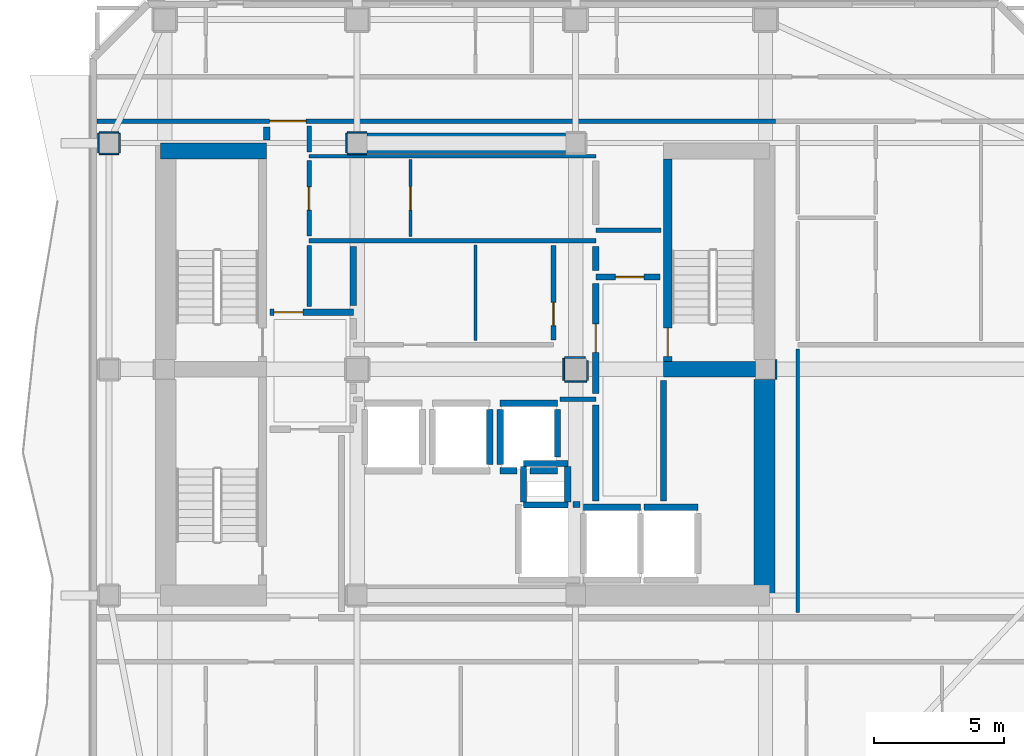
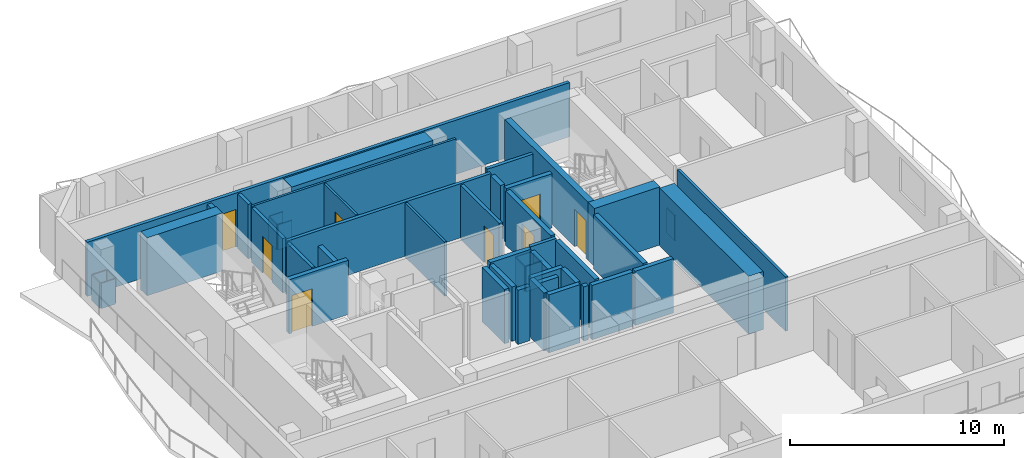
# One storey, part 4 of 9: 50 walls, 8 doors, 8 openings.
"""IFC4 building model written with IfcOpenShell, lengths in metres."""

from ifc_helpers import new_model, si_unit, direction, frame, frame_2d, origin, place, context, subcontext, project, spatial, rectangle, extrude, material, layer, layer_set, type_object, element, fill, save


model = new_model("IFC4")

# Units and contexts
model_context = context("Model", 3, precision=1e-05, world=origin(), true_north=direction((0.0, 1.0)))
body_context = subcontext(model_context, "Body", "Model", "MODEL_VIEW")
ifc_project = project(units=[si_unit("LENGTHUNIT", "METRE"), si_unit("AREAUNIT", "SQUARE_METRE"), si_unit("VOLUMEUNIT", "CUBIC_METRE"), si_unit("PLANEANGLEUNIT", "RADIAN"), si_unit("MASSUNIT", "GRAM", prefix="KILO")], contexts=[model_context])

# Site, building, storey
site_placement = place(None, origin())
site = spatial("IfcSite", under=ifc_project, at=site_placement, CompositionType="ELEMENT")
building_placement = place(site_placement, origin())
building = spatial("IfcBuilding", under=site, at=building_placement, Name="Solanera Arch Residences", CompositionType="ELEMENT")
storey_placement = place(building_placement, frame((0.0, 0.0, 216.719970703125)))
storey = spatial("IfcBuildingStorey", under=building, at=storey_placement, Name="L63", CompositionType="ELEMENT", Elevation=216.719970703125)

# Walls
ifc_material_1 = material(Name="Fire-Rated Gypsum Stud Partition", Category="gypsum")
ifc_layer_1 = layer(ifc_material_1, 0.06005859375)
ifc_layer_set_1 = layer_set([ifc_layer_1], Name="Fire-Rated Gypsum Stud Partition")
wall_type_1 = type_object("IfcWallType", Name="Column Acoustic Furring Wall 60", PredefinedType="PARTITIONING", material=ifc_layer_set_1)
for number, where, z_axis, x_axis, name in (
    (1, (20.425048828125, 38.992919921875, 0.0), (0.0, 0.0, 1.0), (1.0, 0.0, 0.0), "L63 Column Furring 3S"),
    (2, (20.425048828125, 39.806884765625, 0.0), (0.0, 0.0, 1.0), (1.0, 0.0, 0.0), "L63 Column Furring 3N"),
):
    element("IfcWall", number, at=place(storey_placement, frame(where, z_axis=z_axis, x_axis=x_axis)), inside=storey, type_object=wall_type_1, Name=name, PredefinedType="PARTITIONING", context=body_context, shape_type="SweptSolid", body=[
        extrude(rectangle(XDim=0.741943359375, YDim=0.06005859375, at=frame_2d((0.37109375, 0.0))), origin(), (0.0, 0.0, 1.0), 1.449951171875),
    ])
for number, where, z_axis, x_axis, name in (
    (3, (20.39306640625, 39.02490234375, 0.0), (0.0, 0.0, 1.0), (0.0, 1.0, 0.0), "L63 Column Furring 3W"),
    (4, (36.906982421875, 30.324951171875, 0.0), (0.0, 0.0, 1.0), (0.0, 1.0, 0.0), "L63 Column Furring 6E"),
):
    element("IfcWall", number, at=place(storey_placement, frame(where, z_axis=z_axis, x_axis=x_axis)), inside=storey, type_object=wall_type_1, Name=name, PredefinedType="PARTITIONING", context=body_context, shape_type="SweptSolid", body=[
        extrude(rectangle(XDim=0.75, YDim=0.06005859375, at=frame_2d((0.375, 0.0))), origin(), (0.0, 0.0, 1.0), 1.449951171875),
    ])
wall_1_placement = place(storey_placement, frame((28.77490234375, 30.242919921875, 0.0), z_axis=(0.0, 0.0, 1.0), x_axis=(1.0, 0.0, 0.0)))
element("IfcWall", 5, at=wall_1_placement, inside=storey, type_object=wall_type_1, Name="L63 Column Furring 8S", PredefinedType="PARTITIONING", context=body_context, shape_type="SweptSolid", body=[
    extrude(rectangle(XDim=0.85009765625, YDim=0.06005859375, at=frame_2d((0.425048828125, 0.0))), origin(), (0.0, 0.0, 1.0), 1.449951171875),
])
wall_2_placement = place(storey_placement, frame((28.77490234375, 31.156982421875, 0.0), z_axis=(0.0, 0.0, 1.0), x_axis=(1.0, 0.0, 0.0)))
element("IfcWall", 6, at=wall_2_placement, inside=storey, type_object=wall_type_1, Name="L63 Column Furring 8N", PredefinedType="PARTITIONING", context=body_context, shape_type="SweptSolid", body=[
    extrude(rectangle(XDim=0.794189453125, YDim=0.06005859375, at=frame_2d((0.39697265625, 0.0))), origin(), (0.0, 0.0, 1.0), 1.449951171875),
])
wall_3_placement = place(storey_placement, frame((28.742919921875, 30.27490234375, 0.0), z_axis=(0.0, 0.0, 1.0), x_axis=(0.0, 1.0, 0.0)))
element("IfcWall", 7, at=wall_3_placement, inside=storey, type_object=wall_type_1, Name="L63 Column Furring 8W", PredefinedType="PARTITIONING", context=body_context, shape_type="SweptSolid", body=[
    extrude(rectangle(XDim=0.85009765625, YDim=0.06005859375, at=frame_2d((0.425048828125, 0.0))), origin(), (0.0, 0.0, 1.0), 1.449951171875),
])
wall_4_placement = place(storey_placement, frame((29.656982421875, 30.27490234375, 0.0), z_axis=(0.0, 0.0, 1.0), x_axis=(0.0, 1.0, 0.0)))
element("IfcWall", 8, at=wall_4_placement, inside=storey, type_object=wall_type_1, Name="L63 Column Furring 8E", PredefinedType="PARTITIONING", context=body_context, shape_type="SweptSolid", body=[
    extrude(rectangle(XDim=0.757080078125, YDim=0.06005859375, at=frame_2d((0.37841796875, 0.0))), origin(), (0.0, 0.0, 1.0), 1.449951171875),
])
for number, where, z_axis, x_axis, name in (
    (9, (10.875, 38.992919921875, 0.0), (0.0, 0.0, 1.0), (1.0, 0.0, 0.0), "L63 Column Furring 21S"),
    (10, (10.875, 39.806884765625, 0.0), (0.0, 0.0, 1.0), (1.0, 0.0, 0.0), "L63 Column Furring 21N"),
    (11, (10.843017578125, 39.02490234375, 0.0), (0.0, 0.0, 1.0), (0.0, 1.0, 0.0), "L63 Column Furring 21W"),
    (12, (11.656982421875, 39.02490234375, 0.0), (0.0, 0.0, 1.0), (0.0, 1.0, 0.0), "L63 Column Furring 21E"),
):
    element("IfcWall", number, at=place(storey_placement, frame(where, z_axis=z_axis, x_axis=x_axis)), inside=storey, type_object=wall_type_1, Name=name, PredefinedType="PARTITIONING", context=body_context, shape_type="SweptSolid", body=[
        extrude(rectangle(XDim=0.75, YDim=0.06005859375, at=frame_2d((0.375, 0.0))), origin(), (0.0, 0.0, 1.0), 1.449951171875),
    ])

# Wall, opening, door
ifc_material_2 = material(Name="Concrete C40/50 (f'c = 45 MPa)", Category="concrete")
ifc_layer_2 = layer(ifc_material_2, 0.320068359375)
ifc_layer_set_2 = layer_set([ifc_layer_2], Name="Concrete C40/50 (f'c = 45 MPa)")
wall_type_2 = type_object("IfcWallType", Name="Core Shear Wall CW-320", PredefinedType="SHEAR", material=ifc_layer_set_2)
wall_5_placement = place(storey_placement, frame((32.739990234375, 31.0, 0.0), z_axis=(0.0, 0.0, 1.0), x_axis=(0.0, 1.0, 0.0)))
wall_5 = element("IfcWall", 13, at=wall_5_placement, inside=storey, type_object=wall_type_2, Name="L63 Stair ST-T2 West Shear Wall", PredefinedType="SHEAR", context=body_context, shape_type="SweptSolid", body=[
    extrude(rectangle(XDim=7.800048828125, YDim=0.320068359375, at=frame_2d((3.89990234375, 0.0))), origin(), (0.0, 0.0, 1.0), 3.320068359375),
])
opening_1_placement = place(wall_5_placement, frame((0.18994140625, 0.0, 0.0)))
opening_1 = element("IfcOpeningElement", 14, at=opening_1_placement, cuts=wall_5, Name="Opening DF-01", PredefinedType="OPENING", context=body_context, shape_type="SweptSolid", body=[
    extrude(rectangle(XDim=1.10009765625, YDim=2.14990234375, at=frame_2d((0.550048828125, 1.074951171875))), frame((0.0, 0.169921875, 0.0), z_axis=(0.0, -1.0, 0.0), x_axis=(1.0, 0.0, 0.0)), (0.0, 0.0, 1.0), 0.3401),
])
ifc_material_3 = material(Name="Fire-Rated Architectural Hardwood", Category="wood")
door_type_1 = type_object("IfcDoorType", Name="Stair Exit Fire Door DF-01", OperationType="NOTDEFINED", PredefinedType="DOOR", material=ifc_material_3)
door_1_placement = place(opening_1_placement, origin())
door_1 = element("IfcDoor", 15, at=door_1_placement, inside=storey, type_object=door_type_1, Name="DR-L63-STAIR-ST-T2", OperationType="SINGLE_SWING_LEFT", OverallHeight=2.14990234375, OverallWidth=1.10009765625, PredefinedType="DOOR", context=body_context, shape_type="SweptSolid", body=[
    extrude(rectangle(XDim=1.10009765625, YDim=2.14990234375, at=frame_2d((0.550048828125, 1.074951171875))), frame((0.0, 0.02490234375, 0.0), z_axis=(0.0, -1.0, 0.0), x_axis=(1.0, 0.0, 0.0)), (0.0, 0.0, 1.0), 0.050048828125),
])
fill(opening_1, door_1)

# Walls
ifc_material_4 = material(Name="Concrete C40/50 (f'c = 45 MPa)", Category="concrete")
ifc_layer_3 = layer(ifc_material_4, 0.60009765625)
ifc_layer_set_3 = layer_set([ifc_layer_3], Name="Concrete C40/50 (f'c = 45 MPa)")
wall_type_3 = type_object("IfcWallType", Name="Core Shear Wall CW-600", PredefinedType="SHEAR", material=ifc_layer_set_3)
wall_6_placement = place(storey_placement, frame((13.239990234375, 39.10009765625, 0.0), z_axis=(0.0, 0.0, 1.0), x_axis=(1.0, 0.0, 0.0)))
element("IfcWall", 16, at=wall_6_placement, inside=storey, type_object=wall_type_3, Name="L63 North-West Core Shear Wall", PredefinedType="SHEAR", context=body_context, shape_type="SweptSolid", body=[
    extrude(rectangle(XDim=4.080078125, YDim=0.60009765625, at=frame_2d((2.0400390625, 0.0))), origin(), (0.0, 0.0, 1.0), 3.320068359375),
])
wall_7_placement = place(storey_placement, frame((32.580078125, 30.699951171875, 0.0), z_axis=(0.0, 0.0, 1.0), x_axis=(1.0, 0.0, 0.0)))
element("IfcWall", 17, at=wall_7_placement, inside=storey, type_object=wall_type_3, Name="L63 East Stair Far-Landing Shear Wall", PredefinedType="SHEAR", context=body_context, shape_type="SweptSolid", body=[
    extrude(rectangle(XDim=3.5400390625, YDim=0.60009765625, at=frame_2d((1.77001953125, 0.0))), origin(), (0.0, 0.0, 1.0), 3.320068359375),
])
ifc_material_5 = material(Name="Concrete C40/50 (f'c = 45 MPa)", Category="concrete")
ifc_layer_4 = layer(ifc_material_5, 0.800048828125)
ifc_layer_set_4 = layer_set([ifc_layer_4], Name="Concrete C40/50 (f'c = 45 MPa)")
wall_type_4 = type_object("IfcWallType", Name="Core Shear Wall CW-800", PredefinedType="SHEAR", material=ifc_layer_set_4)
wall_8_placement = place(storey_placement, frame((36.4599609375, 22.0, 0.0), z_axis=(0.0, 0.0, 1.0), x_axis=(0.0, 1.0, 0.0)))
element("IfcWall", 18, at=wall_8_placement, inside=storey, type_object=wall_type_4, Name="L63 East Core South Shear Wall", PredefinedType="SHEAR", context=body_context, shape_type="SweptSolid", body=[
    extrude(rectangle(XDim=8.320068359375, YDim=0.800048828125, at=frame_2d((4.16015625, 0.0))), origin(), (0.0, 0.0, 1.0), 3.320068359375),
])
wall_9_placement = place(storey_placement, frame((21.179931640625, 39.39990234375, 0.0), z_axis=(0.0, 0.0, 1.0), x_axis=(1.0, 0.0, 0.0)))
element("IfcWall", 19, at=wall_9_placement, inside=storey, type_object=wall_type_4, Name="L63 Central North Core Shear Wall", PredefinedType="SHEAR", context=body_context, shape_type="SweptSolid", body=[
    extrude(rectangle(XDim=7.64013671875, YDim=0.800048828125, at=frame_2d((3.820068359375, 0.0))), origin(), (0.0, 0.0, 1.0), 3.320068359375),
])
ifc_material_6 = material(Name="Autoclaved Aerated Concrete Blockwork", Category="masonry")
ifc_layer_5 = layer(ifc_material_6, 0.179931640625)
ifc_layer_set_5 = layer_set([ifc_layer_5], Name="Autoclaved Aerated Concrete Blockwork")
wall_type_5 = type_object("IfcWallType", Name="Corridor Fire Partition 180", PredefinedType="PARTITIONING", material=ifc_layer_set_5)
wall_10_placement = place(storey_placement, frame((28.593017578125, 29.550048828125, 0.0), z_axis=(0.0, 0.0, 1.0), x_axis=(1.0, 0.0, 0.0)))
element("IfcWall", 20, at=wall_10_placement, inside=storey, type_object=wall_type_5, Name="L63 Interior Partition H7 2", PredefinedType="PARTITIONING", context=body_context, shape_type="SweptSolid", body=[
    extrude(rectangle(XDim=1.382080078125, YDim=0.179931640625, at=frame_2d((0.69091796875, 0.0))), origin(), (0.0, 0.0, 1.0), 3.10009765625),
])
wall_11_placement = place(storey_placement, frame((18.949951171875, 35.64990234375, 0.0), z_axis=(0.0, 0.0, 1.0), x_axis=(1.0, 0.0, 0.0)))
element("IfcWall", 21, at=wall_11_placement, inside=storey, type_object=wall_type_5, Name="L63 Interior Partition H10", PredefinedType="PARTITIONING", context=body_context, shape_type="SweptSolid", body=[
    extrude(rectangle(XDim=11.025146484375, YDim=0.179931640625, at=frame_2d((5.5126953125, 0.0))), origin(), (0.0, 0.0, 1.0), 3.10009765625),
])
wall_12_placement = place(storey_placement, frame((29.97509765625, 36.050048828125, 0.0), z_axis=(0.0, 0.0, 1.0), x_axis=(1.0, 0.0, 0.0)))
element("IfcWall", 22, at=wall_12_placement, inside=storey, type_object=wall_type_5, Name="L63 Interior Partition H11", PredefinedType="PARTITIONING", context=body_context, shape_type="SweptSolid", body=[
    extrude(rectangle(XDim=2.5048828125, YDim=0.179931640625, at=frame_2d((1.25244140625, 0.0))), origin(), (0.0, 0.0, 1.0), 3.10009765625),
])

# Wall, opening, door
wall_13_placement = place(storey_placement, frame((10.787109375, 40.25, 0.0), z_axis=(0.0, 0.0, 1.0), x_axis=(1.0, 0.0, 0.0)))
wall_13 = element("IfcWall", 23, at=wall_13_placement, inside=storey, type_object=wall_type_5, Name="L63 Interior Partition H12 1", PredefinedType="PARTITIONING", context=body_context, shape_type="SweptSolid", body=[
    extrude(rectangle(XDim=26.101806640625, YDim=0.179931640625, at=frame_2d((13.05078125, 0.0))), origin(), (0.0, 0.0, 1.0), 3.10009765625),
])
opening_2_placement = place(wall_13_placement, frame((6.64794921875, 0.0, 0.0)))
opening_2 = element("IfcOpeningElement", 24, at=opening_2_placement, cuts=wall_13, Name="Opening DF-03", PredefinedType="OPENING", context=body_context, shape_type="SweptSolid", body=[
    extrude(rectangle(XDim=1.39990234375, YDim=2.14990234375, at=frame_2d((0.699951171875, 1.074951171875))), frame((0.0, 0.10009765625, 0.0), z_axis=(0.0, -1.0, 0.0), x_axis=(1.0, 0.0, 0.0)), (0.0, 0.0, 1.0), 0.1999),
])
ifc_material_7 = material(Name="Fire-Rated Architectural Hardwood", Category="wood")
door_type_2 = type_object("IfcDoorType", Name="Corridor Smoke Door DF-03", OperationType="NOTDEFINED", PredefinedType="DOOR", material=ifc_material_7)
door_2_placement = place(opening_2_placement, origin())
door_2 = element("IfcDoor", 25, at=door_2_placement, inside=storey, type_object=door_type_2, Name="DR-L63-IN-009", OperationType="SINGLE_SWING_RIGHT", OverallHeight=2.14990234375, OverallWidth=1.39990234375, PredefinedType="DOOR", context=body_context, shape_type="SweptSolid", body=[
    extrude(rectangle(XDim=1.39990234375, YDim=2.14990234375, at=frame_2d((0.699951171875, 1.074951171875))), frame((0.0, 0.02490234375, 0.0), z_axis=(0.0, -1.0, 0.0), x_axis=(1.0, 0.0, 0.0)), (0.0, 0.0, 1.0), 0.050048828125),
])
fill(opening_2, door_2)

# Wall
wall_14_placement = place(storey_placement, frame((18.949951171875, 33.117919921875, 0.0), z_axis=(0.0, 0.0, 1.0), x_axis=(0.0, 1.0, 0.0)))
element("IfcWall", 26, at=wall_14_placement, inside=storey, type_object=wall_type_5, Name="L63 Interior Partition V8 1", PredefinedType="PARTITIONING", context=body_context, shape_type="SweptSolid", body=[
    extrude(rectangle(XDim=2.343994140625, YDim=0.179931640625, at=frame_2d((1.171875, 0.0))), origin(), (0.0, 0.0, 1.0), 3.10009765625),
])

# Wall, opening, door
wall_15_placement = place(storey_placement, frame((18.949951171875, 35.837890625, 0.0), z_axis=(0.0, 0.0, 1.0), x_axis=(0.0, 1.0, 0.0)))
wall_15 = element("IfcWall", 27, at=wall_15_placement, inside=storey, type_object=wall_type_5, Name="L63 Interior Partition V8 2", PredefinedType="PARTITIONING", context=body_context, shape_type="SweptSolid", body=[
    extrude(rectangle(XDim=2.904052734375, YDim=0.179931640625, at=frame_2d((1.4521484375, 0.0))), origin(), (0.0, 0.0, 1.0), 3.10009765625),
])
opening_3_placement = place(wall_15_placement, frame((0.987060546875, 0.0, 0.0)))
opening_3 = element("IfcOpeningElement", 28, at=opening_3_placement, cuts=wall_15, Name="Opening DI-02", PredefinedType="OPENING", context=body_context, shape_type="SweptSolid", body=[
    extrude(rectangle(XDim=0.89990234375, YDim=2.10009765625, at=frame_2d((0.449951171875, 1.050048828125))), frame((0.0, 0.10009765625, 0.0), z_axis=(0.0, -1.0, 0.0), x_axis=(1.0, 0.0, 0.0)), (0.0, 0.0, 1.0), 0.1999),
])
ifc_material_8 = material(Name="Fire-Rated Architectural Hardwood", Category="wood")
door_type_3 = type_object("IfcDoorType", Name="Suite Room Swing Door DI-02", OperationType="NOTDEFINED", PredefinedType="DOOR", material=ifc_material_8)
door_3_placement = place(opening_3_placement, origin())
door_3 = element("IfcDoor", 29, at=door_3_placement, inside=storey, type_object=door_type_3, Name="DR-L63-IN-010", OperationType="SINGLE_SWING_LEFT", OverallHeight=2.10009765625, OverallWidth=0.89990234375, PredefinedType="DOOR", context=body_context, shape_type="SweptSolid", body=[
    extrude(rectangle(XDim=0.89990234375, YDim=2.10009765625, at=frame_2d((0.449951171875, 1.050048828125))), frame((0.0, 0.02490234375, 0.0), z_axis=(0.0, -1.0, 0.0), x_axis=(1.0, 0.0, 0.0)), (0.0, 0.0, 1.0), 0.050048828125),
])
fill(opening_3, door_3)

# Wall
wall_16_placement = place(storey_placement, frame((18.949951171875, 39.05810546875, 0.0), z_axis=(0.0, 0.0, 1.0), x_axis=(0.0, 1.0, 0.0)))
element("IfcWall", 30, at=wall_16_placement, inside=storey, type_object=wall_type_5, Name="L63 Interior Partition V8 3", PredefinedType="PARTITIONING", context=body_context, shape_type="SweptSolid", body=[
    extrude(rectangle(XDim=1.00390625, YDim=0.179931640625, at=frame_2d((0.501953125, 0.0))), origin(), (0.0, 0.0, 1.0), 3.10009765625),
])

# Wall, opening, door
wall_17_placement = place(storey_placement, frame((28.35009765625, 31.837890625, 0.0), z_axis=(0.0, 0.0, 1.0), x_axis=(0.0, 1.0, 0.0)))
wall_17 = element("IfcWall", 31, at=wall_17_placement, inside=storey, type_object=wall_type_5, Name="L63 Interior Partition V9", PredefinedType="PARTITIONING", context=body_context, shape_type="SweptSolid", body=[
    extrude(rectangle(XDim=3.6240234375, YDim=0.179931640625, at=frame_2d((1.81201171875, 0.0))), origin(), (0.0, 0.0, 1.0), 3.10009765625),
])
opening_4_placement = place(wall_17_placement, frame((0.541015625, 0.0, 0.0)))
opening_4 = element("IfcOpeningElement", 32, at=opening_4_placement, cuts=wall_17, Name="Opening DI-02", PredefinedType="OPENING", context=body_context, shape_type="SweptSolid", body=[
    extrude(rectangle(XDim=0.89990234375, YDim=2.10009765625, at=frame_2d((0.449951171875, 1.050048828125))), frame((0.0, 0.10009765625, 0.0), z_axis=(0.0, -1.0, 0.0), x_axis=(1.0, 0.0, 0.0)), (0.0, 0.0, 1.0), 0.1999),
])
door_4_placement = place(opening_4_placement, origin())
door_4 = element("IfcDoor", 33, at=door_4_placement, inside=storey, type_object=door_type_3, Name="DR-L63-IN-013", OperationType="SINGLE_SWING_RIGHT", OverallHeight=2.10009765625, OverallWidth=0.89990234375, PredefinedType="DOOR", context=body_context, shape_type="SweptSolid", body=[
    extrude(rectangle(XDim=0.89990234375, YDim=2.10009765625, at=frame_2d((0.449951171875, 1.050048828125))), frame((0.0, 0.02490234375, 0.0), z_axis=(0.0, -1.0, 0.0), x_axis=(1.0, 0.0, 0.0)), (0.0, 0.0, 1.0), 0.050048828125),
])
fill(opening_4, door_4)

# Walls
ifc_material_9 = material(Name="Concrete C40/50 (f'c = 45 MPa)", Category="concrete")
ifc_layer_6 = layer(ifc_material_9, 0.239990234375)
ifc_layer_set_6 = layer_set([ifc_layer_6], Name="Concrete C40/50 (f'c = 45 MPa)")
wall_type_6 = type_object("IfcWallType", Name="Ramp Bearing Shear Wall RW-240", PredefinedType="SHEAR", material=ifc_layer_set_6)
for number, where, z_axis, x_axis, name in (
    (34, (27.199951171875, 25.47998046875, 0.0), (0.0, 0.0, 1.0), (1.0, 0.0, 0.0), "L63 Core MEP Riser South Shaft Wall"),
    (35, (27.199951171875, 27.080078125, 0.0), (0.0, 0.0, 1.0), (1.0, 0.0, 0.0), "L63 Core MEP Riser North Shaft Wall"),
):
    element("IfcWall", number, at=place(storey_placement, frame(where, z_axis=z_axis, x_axis=x_axis)), inside=storey, type_object=wall_type_6, Name=name, PredefinedType="SHEAR", context=body_context, shape_type="SweptSolid", body=[
        extrude(rectangle(XDim=1.699951171875, YDim=0.239990234375, at=frame_2d((0.85009765625, 0.0))), origin(), (0.0, 0.0, 1.0), 3.320068359375),
    ])
for number, where, z_axis, x_axis, name in (
    (36, (27.199951171875, 25.60009765625, 0.0), (0.0, 0.0, 1.0), (0.0, 1.0, 0.0), "L63 Core MEP Riser West Shaft Wall"),
    (37, (28.89990234375, 25.60009765625, 0.0), (0.0, 0.0, 1.0), (0.0, 1.0, 0.0), "L63 Core MEP Riser East Shaft Wall"),
):
    element("IfcWall", number, at=place(storey_placement, frame(where, z_axis=z_axis, x_axis=x_axis)), inside=storey, type_object=wall_type_6, Name=name, PredefinedType="SHEAR", context=body_context, shape_type="SweptSolid", body=[
        extrude(rectangle(XDim=1.35986328125, YDim=0.239990234375, at=frame_2d((0.679931640625, 0.0))), origin(), (0.0, 0.0, 1.0), 3.320068359375),
    ])
ifc_material_10 = material(Name="Autoclaved Aerated Concrete Blockwork", Category="masonry")
ifc_layer_7 = layer(ifc_material_10, 0.239990234375)
ifc_layer_set_7 = layer_set([ifc_layer_7], Name="Autoclaved Aerated Concrete Blockwork")
wall_type_7 = type_object("IfcWallType", Name="Shaft Wall Fire-Rated 240", PredefinedType="PARTITIONING", material=ifc_layer_set_7)
wall_18_placement = place(storey_placement, frame((25.89990234375, 27.048095703125, 0.0), z_axis=(0.0, 0.0, 1.0), x_axis=(0.0, 1.0, 0.0)))
element("IfcWall", 38, at=wall_18_placement, inside=storey, type_object=wall_type_7, Name="L63 Lift PL-H2 Hoistway Wall E", PredefinedType="PARTITIONING", context=body_context, shape_type="SweptSolid", body=[
    extrude(rectangle(XDim=2.10400390625, YDim=0.239990234375, at=frame_2d((1.052001953125, 0.0))), origin(), (0.0, 0.0, 1.0), 3.10009765625),
])
wall_19_placement = place(storey_placement, frame((26.300048828125, 26.800048828125, 0.0), z_axis=(0.0, 0.0, 1.0), x_axis=(1.0, 0.0, 0.0)))
element("IfcWall", 39, at=wall_19_placement, inside=storey, type_object=wall_type_7, Name="L63 Lift PL-H3 Hoistway Wall S 1", PredefinedType="PARTITIONING", context=body_context, shape_type="SweptSolid", body=[
    extrude(rectangle(XDim=0.64990234375, YDim=0.239990234375, at=frame_2d((0.324951171875, 0.0))), origin(), (0.0, 0.0, 1.0), 3.10009765625),
])
wall_20_placement = place(storey_placement, frame((27.449951171875, 26.800048828125, 0.0), z_axis=(0.0, 0.0, 1.0), x_axis=(1.0, 0.0, 0.0)))
element("IfcWall", 40, at=wall_20_placement, inside=storey, type_object=wall_type_7, Name="L63 Lift PL-H3 Hoistway Wall S 2", PredefinedType="PARTITIONING", context=body_context, shape_type="SweptSolid", body=[
    extrude(rectangle(XDim=1.050048828125, YDim=0.239990234375, at=frame_2d((0.52490234375, 0.0))), origin(), (0.0, 0.0, 1.0), 3.10009765625),
])
wall_21_placement = place(storey_placement, frame((26.300048828125, 29.39990234375, 0.0), z_axis=(0.0, 0.0, 1.0), x_axis=(1.0, 0.0, 0.0)))
element("IfcWall", 41, at=wall_21_placement, inside=storey, type_object=wall_type_7, Name="L63 Lift PL-H3 Hoistway Wall N", PredefinedType="PARTITIONING", context=body_context, shape_type="SweptSolid", body=[
    extrude(rectangle(XDim=2.199951171875, YDim=0.239990234375, at=frame_2d((1.10009765625, 0.0))), origin(), (0.0, 0.0, 1.0), 3.10009765625),
])
wall_22_placement = place(storey_placement, frame((26.300048828125, 27.048095703125, 0.0), z_axis=(0.0, 0.0, 1.0), x_axis=(0.0, 1.0, 0.0)))
element("IfcWall", 42, at=wall_22_placement, inside=storey, type_object=wall_type_7, Name="L63 Lift PL-H3 Hoistway Wall W", PredefinedType="PARTITIONING", context=body_context, shape_type="SweptSolid", body=[
    extrude(rectangle(XDim=2.10400390625, YDim=0.239990234375, at=frame_2d((1.052001953125, 0.0))), origin(), (0.0, 0.0, 1.0), 3.10009765625),
])
wall_23_placement = place(storey_placement, frame((28.5, 27.330078125, 0.0), z_axis=(0.0, 0.0, 1.0), x_axis=(0.0, 1.0, 0.0)))
element("IfcWall", 43, at=wall_23_placement, inside=storey, type_object=wall_type_7, Name="L63 Lift PL-H3 Hoistway Wall E", PredefinedType="PARTITIONING", context=body_context, shape_type="SweptSolid", body=[
    extrude(rectangle(XDim=1.822021484375, YDim=0.239990234375, at=frame_2d((0.9111328125, 0.0))), origin(), (0.0, 0.0, 1.0), 3.10009765625),
])
wall_24_placement = place(storey_placement, frame((29.5, 25.39990234375, 0.0), z_axis=(0.0, 0.0, 1.0), x_axis=(1.0, 0.0, 0.0)))
element("IfcWall", 44, at=wall_24_placement, inside=storey, type_object=wall_type_7, Name="L63 Lift FFL-1 Hoistway Wall N", PredefinedType="PARTITIONING", context=body_context, shape_type="SweptSolid", body=[
    extrude(rectangle(XDim=2.199951171875, YDim=0.239990234375, at=frame_2d((1.10009765625, 0.0))), origin(), (0.0, 0.0, 1.0), 3.10009765625),
])
wall_25_placement = place(storey_placement, frame((31.827880859375, 25.39990234375, 0.0), z_axis=(0.0, 0.0, 1.0), x_axis=(1.0, 0.0, 0.0)))
element("IfcWall", 45, at=wall_25_placement, inside=storey, type_object=wall_type_7, Name="L63 Lift FFL-2 Hoistway Wall N", PredefinedType="PARTITIONING", context=body_context, shape_type="SweptSolid", body=[
    extrude(rectangle(XDim=2.072021484375, YDim=0.239990234375, at=frame_2d((1.0361328125, 0.0))), origin(), (0.0, 0.0, 1.0), 3.10009765625),
])
wall_26_placement = place(storey_placement, frame((29.10302734375, 25.5, 0.0), z_axis=(0.0, 0.0, 1.0), x_axis=(1.0, 0.0, 0.0)))
element("IfcWall", 46, at=wall_26_placement, inside=storey, type_object=wall_type_7, Name="L63 Lift SVL-1 Hoistway Wall N", PredefinedType="PARTITIONING", context=body_context, shape_type="SweptSolid", body=[
    extrude(rectangle(XDim=0.26904296875, YDim=0.239990234375, at=frame_2d((0.134521484375, 0.0))), origin(), (0.0, 0.0, 1.0), 3.10009765625),
])

# Wall, opening, door
wall_27_placement = place(storey_placement, frame((17.449951171875, 32.89990234375, 0.0), z_axis=(0.0, 0.0, 1.0), x_axis=(1.0, 0.0, 0.0)))
wall_27 = element("IfcWall", 47, at=wall_27_placement, inside=storey, type_object=wall_type_7, Name="L63 Interior Partition H4", PredefinedType="PARTITIONING", context=body_context, shape_type="SweptSolid", body=[
    extrude(rectangle(XDim=3.199951171875, YDim=0.239990234375, at=frame_2d((1.60009765625, 0.0))), origin(), (0.0, 0.0, 1.0), 3.10009765625),
])
opening_5_placement = place(wall_27_placement, frame((0.158935546875, 0.0, 0.0)))
opening_5 = element("IfcOpeningElement", 48, at=opening_5_placement, cuts=wall_27, Name="Opening DF-02", PredefinedType="OPENING", context=body_context, shape_type="SweptSolid", body=[
    extrude(rectangle(XDim=1.10009765625, YDim=2.14990234375, at=frame_2d((0.550048828125, 1.074951171875))), frame((0.0, 0.1298828125, 0.0), z_axis=(0.0, -1.0, 0.0), x_axis=(1.0, 0.0, 0.0)), (0.0, 0.0, 1.0), 0.26),
])
ifc_material_11 = material(Name="Fire-Rated Architectural Hardwood", Category="wood")
door_type_4 = type_object("IfcDoorType", Name="Firefighting Lobby Fire Door DF-02", OperationType="NOTDEFINED", PredefinedType="DOOR", material=ifc_material_11)
door_5_placement = place(opening_5_placement, origin())
door_5 = element("IfcDoor", 49, at=door_5_placement, inside=storey, type_object=door_type_4, Name="DR-L63-IN-005", OperationType="SINGLE_SWING_RIGHT", OverallHeight=2.14990234375, OverallWidth=1.10009765625, PredefinedType="DOOR", context=body_context, shape_type="SweptSolid", body=[
    extrude(rectangle(XDim=1.10009765625, YDim=2.14990234375, at=frame_2d((0.550048828125, 1.074951171875))), frame((0.0, 0.02490234375, 0.0), z_axis=(0.0, -1.0, 0.0), x_axis=(1.0, 0.0, 0.0)), (0.0, 0.0, 1.0), 0.050048828125),
])
fill(opening_5, door_5)

wall_28_placement = place(storey_placement, frame((29.97509765625, 34.25, 0.0), z_axis=(0.0, 0.0, 1.0), x_axis=(1.0, 0.0, 0.0)))
wall_28 = element("IfcWall", 50, at=wall_28_placement, inside=storey, type_object=wall_type_7, Name="L63 Interior Partition H5", PredefinedType="PARTITIONING", context=body_context, shape_type="SweptSolid", body=[
    extrude(rectangle(XDim=2.474853515625, YDim=0.239990234375, at=frame_2d((1.2373046875, 0.0))), origin(), (0.0, 0.0, 1.0), 3.10009765625),
])
opening_6_placement = place(wall_28_placement, frame((0.751953125, 0.0, 0.0)))
opening_6 = element("IfcOpeningElement", 51, at=opening_6_placement, cuts=wall_28, Name="Opening DF-02", PredefinedType="OPENING", context=body_context, shape_type="SweptSolid", body=[
    extrude(rectangle(XDim=1.10009765625, YDim=2.14990234375, at=frame_2d((0.550048828125, 1.074951171875))), frame((0.0, 0.1298828125, 0.0), z_axis=(0.0, -1.0, 0.0), x_axis=(1.0, 0.0, 0.0)), (0.0, 0.0, 1.0), 0.26),
])
door_6_placement = place(opening_6_placement, origin())
door_6 = element("IfcDoor", 52, at=door_6_placement, inside=storey, type_object=door_type_4, Name="DR-L63-IN-007", OperationType="SINGLE_SWING_RIGHT", OverallHeight=2.14990234375, OverallWidth=1.10009765625, PredefinedType="DOOR", context=body_context, shape_type="SweptSolid", body=[
    extrude(rectangle(XDim=1.10009765625, YDim=2.14990234375, at=frame_2d((0.550048828125, 1.074951171875))), frame((0.0, 0.02490234375, 0.0), z_axis=(0.0, -1.0, 0.0), x_axis=(1.0, 0.0, 0.0)), (0.0, 0.0, 1.0), 0.050048828125),
])
fill(opening_6, door_6)

# Walls
wall_29_placement = place(storey_placement, frame((17.320068359375, 39.530029296875, 0.0), z_axis=(0.0, 0.0, 1.0), x_axis=(0.0, 1.0, 0.0)))
element("IfcWall", 53, at=wall_29_placement, inside=storey, type_object=wall_type_7, Name="L63 Interior Partition V1", PredefinedType="PARTITIONING", context=body_context, shape_type="SweptSolid", body=[
    extrude(rectangle(XDim=0.501953125, YDim=0.239990234375, at=frame_2d((0.2509765625, 0.0))), origin(), (0.0, 0.0, 1.0), 3.10009765625),
])
wall_30_placement = place(storey_placement, frame((20.64990234375, 33.14794921875, 0.0), z_axis=(0.0, 0.0, 1.0), x_axis=(0.0, 1.0, 0.0)))
element("IfcWall", 54, at=wall_30_placement, inside=storey, type_object=wall_type_7, Name="L63 Interior Partition V3 4", PredefinedType="PARTITIONING", context=body_context, shape_type="SweptSolid", body=[
    extrude(rectangle(XDim=2.283935546875, YDim=0.239990234375, at=frame_2d((1.14208984375, 0.0))), origin(), (0.0, 0.0, 1.0), 2.3349609375),
])
wall_31_placement = place(storey_placement, frame((29.97509765625, 25.64794921875, 0.0), z_axis=(0.0, 0.0, 1.0), x_axis=(0.0, 1.0, 0.0)))
element("IfcWall", 55, at=wall_31_placement, inside=storey, type_object=wall_type_7, Name="L63 Interior Partition V4 1", PredefinedType="PARTITIONING", context=body_context, shape_type="SweptSolid", body=[
    extrude(rectangle(XDim=3.68408203125, YDim=0.239990234375, at=frame_2d((1.842041015625, 0.0))), origin(), (0.0, 0.0, 1.0), 3.10009765625),
])

# Wall, opening, door
wall_32_placement = place(storey_placement, frame((29.97509765625, 29.76806640625, 0.0), z_axis=(0.0, 0.0, 1.0), x_axis=(0.0, 1.0, 0.0)))
wall_32 = element("IfcWall", 56, at=wall_32_placement, inside=storey, type_object=wall_type_7, Name="L63 Interior Partition V4 2", PredefinedType="PARTITIONING", context=body_context, shape_type="SweptSolid", body=[
    extrude(rectangle(XDim=4.23388671875, YDim=0.239990234375, at=frame_2d((2.116943359375, 0.0))), origin(), (0.0, 0.0, 1.0), 3.10009765625),
])
opening_7_placement = place(wall_32_placement, frame((1.58203125, 0.0, 0.0)))
opening_7 = element("IfcOpeningElement", 57, at=opening_7_placement, cuts=wall_32, Name="Opening DF-02", PredefinedType="OPENING", context=body_context, shape_type="SweptSolid", body=[
    extrude(rectangle(XDim=1.10009765625, YDim=2.14990234375, at=frame_2d((0.550048828125, 1.074951171875))), frame((0.0, 0.1298828125, 0.0), z_axis=(0.0, -1.0, 0.0), x_axis=(1.0, 0.0, 0.0)), (0.0, 0.0, 1.0), 0.26),
])
door_7_placement = place(opening_7_placement, origin())
door_7 = element("IfcDoor", 58, at=door_7_placement, inside=storey, type_object=door_type_4, Name="DR-L63-IN-006", OperationType="SINGLE_SWING_LEFT", OverallHeight=2.14990234375, OverallWidth=1.10009765625, PredefinedType="DOOR", context=body_context, shape_type="SweptSolid", body=[
    extrude(rectangle(XDim=1.10009765625, YDim=2.14990234375, at=frame_2d((0.550048828125, 1.074951171875))), frame((0.0, 0.02490234375, 0.0), z_axis=(0.0, -1.0, 0.0), x_axis=(1.0, 0.0, 0.0)), (0.0, 0.0, 1.0), 0.050048828125),
])
fill(opening_7, door_7)

# Walls
wall_33_placement = place(storey_placement, frame((29.97509765625, 34.498046875, 0.0), z_axis=(0.0, 0.0, 1.0), x_axis=(0.0, 1.0, 0.0)))
element("IfcWall", 59, at=wall_33_placement, inside=storey, type_object=wall_type_7, Name="L63 Interior Partition V4 3", PredefinedType="PARTITIONING", context=body_context, shape_type="SweptSolid", body=[
    extrude(rectangle(XDim=0.933837890625, YDim=0.239990234375, at=frame_2d((0.466796875, 0.0))), origin(), (0.0, 0.0, 1.0), 3.10009765625),
])
wall_34_placement = place(storey_placement, frame((32.580078125, 25.64794921875, 0.0), z_axis=(0.0, 0.0, 1.0), x_axis=(0.0, 1.0, 0.0)))
element("IfcWall", 60, at=wall_34_placement, inside=storey, type_object=wall_type_7, Name="L63 Interior Partition V5", PredefinedType="PARTITIONING", context=body_context, shape_type="SweptSolid", body=[
    extrude(rectangle(XDim=4.6220703125, YDim=0.239990234375, at=frame_2d((2.31103515625, 0.0))), origin(), (0.0, 0.0, 1.0), 3.10009765625),
])
ifc_material_12 = material(Name="Fire-Rated Gypsum Stud Partition", Category="gypsum")
ifc_layer_8 = layer(ifc_material_12, 0.1201171875)
ifc_layer_set_8 = layer_set([ifc_layer_8], Name="Fire-Rated Gypsum Stud Partition")
wall_type_8 = type_object("IfcWallType", Name="Unit Drywall Partition 120", PredefinedType="PARTITIONING", material=ifc_layer_set_8)
wall_35_placement = place(storey_placement, frame((18.949951171875, 38.89990234375, 0.0), z_axis=(0.0, 0.0, 1.0), x_axis=(1.0, 0.0, 0.0)))
element("IfcWall", 61, at=wall_35_placement, inside=storey, type_object=wall_type_8, Name="L63 Interior Partition H20", PredefinedType="PARTITIONING", context=body_context, shape_type="SweptSolid", body=[
    extrude(rectangle(XDim=11.025146484375, YDim=0.1201171875, at=frame_2d((5.5126953125, 0.0))), origin(), (0.0, 0.0, 1.0), 3.10009765625),
])

# Wall, opening, door
wall_36_placement = place(storey_placement, frame((22.85009765625, 35.80810546875, 0.0), z_axis=(0.0, 0.0, 1.0), x_axis=(0.0, 1.0, 0.0)))
wall_36 = element("IfcWall", 62, at=wall_36_placement, inside=storey, type_object=wall_type_8, Name="L63 Interior Partition V20", PredefinedType="PARTITIONING", context=body_context, shape_type="SweptSolid", body=[
    extrude(rectangle(XDim=2.9638671875, YDim=0.1201171875, at=frame_2d((1.48193359375, 0.0))), origin(), (0.0, 0.0, 1.0), 3.10009765625),
])
opening_8_placement = place(wall_36_placement, frame((1.01708984375, 0.0, 0.0)))
opening_8 = element("IfcOpeningElement", 63, at=opening_8_placement, cuts=wall_36, Name="Opening DI-02", PredefinedType="OPENING", context=body_context, shape_type="SweptSolid", body=[
    extrude(rectangle(XDim=0.89990234375, YDim=2.10009765625, at=frame_2d((0.449951171875, 1.050048828125))), frame((0.0, 0.070068359375, 0.0), z_axis=(0.0, -1.0, 0.0), x_axis=(1.0, 0.0, 0.0)), (0.0, 0.0, 1.0), 0.1401),
])
door_8_placement = place(opening_8_placement, origin())
door_8 = element("IfcDoor", 64, at=door_8_placement, inside=storey, type_object=door_type_3, Name="DR-L63-IN-011", OperationType="SINGLE_SWING_RIGHT", OverallHeight=2.10009765625, OverallWidth=0.89990234375, PredefinedType="DOOR", context=body_context, shape_type="SweptSolid", body=[
    extrude(rectangle(XDim=0.89990234375, YDim=2.10009765625, at=frame_2d((0.449951171875, 1.050048828125))), frame((0.0, 0.02490234375, 0.0), z_axis=(0.0, -1.0, 0.0), x_axis=(1.0, 0.0, 0.0)), (0.0, 0.0, 1.0), 0.050048828125),
])
fill(opening_8, door_8)

# Walls
wall_37_placement = place(storey_placement, frame((25.35009765625, 31.80810546875, 0.0), z_axis=(0.0, 0.0, 1.0), x_axis=(0.0, 1.0, 0.0)))
element("IfcWall", 65, at=wall_37_placement, inside=storey, type_object=wall_type_8, Name="L63 Interior Partition V21", PredefinedType="PARTITIONING", context=body_context, shape_type="SweptSolid", body=[
    extrude(rectangle(XDim=3.683837890625, YDim=0.1201171875, at=frame_2d((1.841796875, 0.0))), origin(), (0.0, 0.0, 1.0), 3.10009765625),
])
ifc_material_13 = material(Name="Autoclaved Aerated Concrete Blockwork", Category="masonry")
ifc_layer_9 = layer(ifc_material_13, 0.139892578125)
ifc_layer_set_9 = layer_set([ifc_layer_9], Name="Autoclaved Aerated Concrete Blockwork")
wall_type_9 = type_object("IfcWallType", Name="Wet-Room Partition 140", PredefinedType="PARTITIONING", material=ifc_layer_set_9)
wall_38_placement = place(storey_placement, frame((37.75, 21.347900390625, 0.0), z_axis=(0.0, 0.0, 1.0), x_axis=(0.0, 1.0, 0.0)))
element("IfcWall", 66, at=wall_38_placement, inside=storey, type_object=wall_type_9, Name="L63 Interior Partition V17 1", PredefinedType="PARTITIONING", context=body_context, shape_type="SweptSolid", body=[
    extrude(rectangle(XDim=10.134033203125, YDim=0.139892578125, at=frame_2d((5.06689453125, 0.0))), origin(), (0.0, 0.0, 1.0), 3.10009765625),
])

save(model, "model.ifc")
